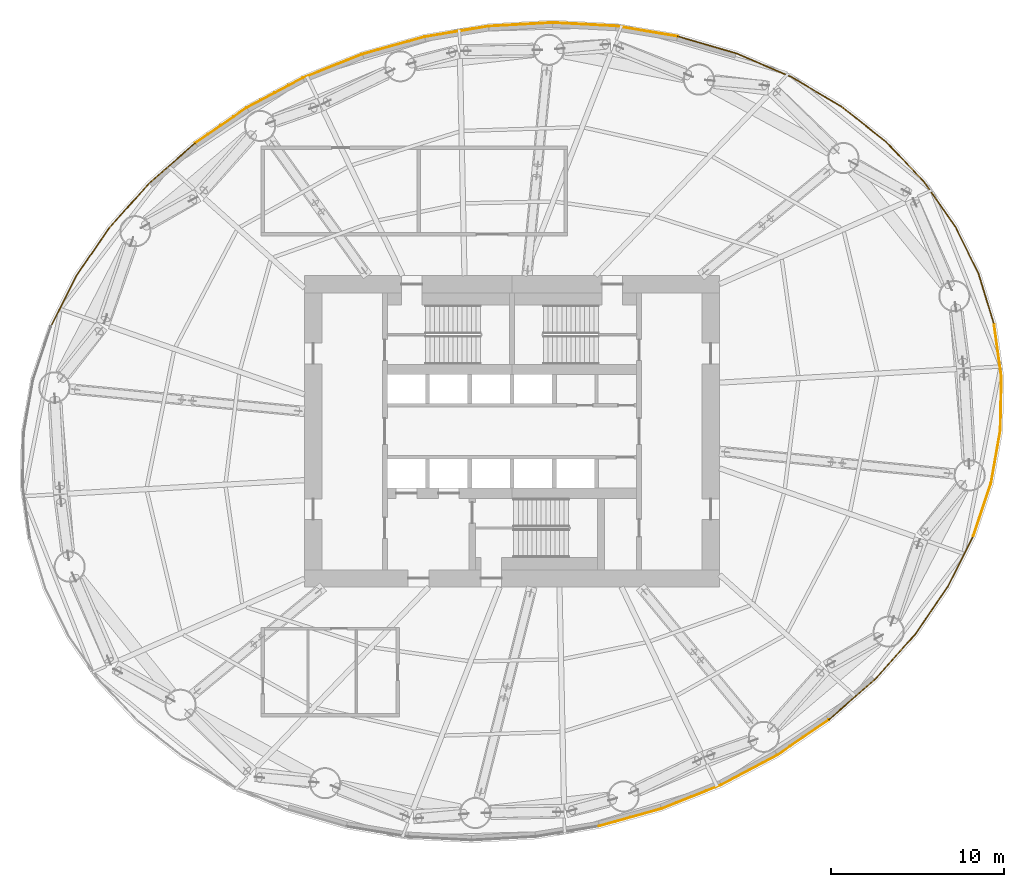
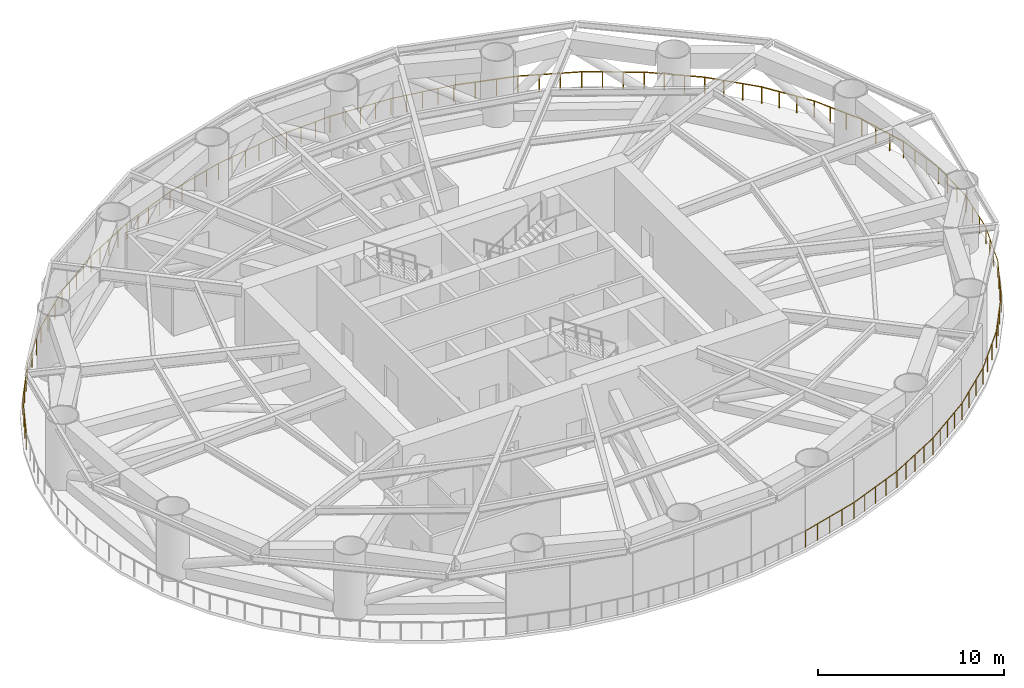
# One storey, part 15 of 15: 8 railings.
"""IFC4 building model written with IfcOpenShell, lengths in metres."""

from ifc_helpers import new_model, si_unit, direction, frame, origin, origin_2d, place, context, subcontext, project, spatial, circle, extrude, material, type_object, element, save


model = new_model("IFC4")

# Units and contexts
model_context = context("Model", 3, precision=1e-05, world=origin(), true_north=direction((0.0, 1.0)))
body_context = subcontext(model_context, "Body", "Model", "MODEL_VIEW")
ifc_project = project(units=[si_unit("LENGTHUNIT", "METRE"), si_unit("AREAUNIT", "SQUARE_METRE"), si_unit("VOLUMEUNIT", "CUBIC_METRE"), si_unit("PLANEANGLEUNIT", "RADIAN"), si_unit("MASSUNIT", "GRAM", prefix="KILO")], contexts=[model_context])

# Site, building, storey
site_placement = place(None, origin())
site = spatial("IfcSite", under=ifc_project, at=site_placement, CompositionType="ELEMENT")
building_placement = place(site_placement, origin())
building = spatial("IfcBuilding", under=site, at=building_placement, Name="Vermilion Reach Broadcast Tower", CompositionType="ELEMENT")
storey_placement = place(building_placement, frame((0.0, 0.0, 84.10009765625)))
storey = spatial("IfcBuildingStorey", under=building, at=storey_placement, Name="L18", CompositionType="ELEMENT", Elevation=84.10009765625)

# Railings
ifc_material = material(Name="Steel guardrail with stainless infill", Category="steel")
railing_type = type_object("IfcRailingType", Name="Open floor guardrail 1100", PredefinedType="GUARDRAIL", material=ifc_material)
railing_1_placement = place(storey_placement, frame((21.877197265625, 6.169921875, 0.0)))
element("IfcRailing", 1, at=railing_1_placement, inside=storey, type_object=railing_type, Name="sp.rail.L18.00", PredefinedType="GUARDRAIL", context=body_context, shape_type="SweptSolid", body=[
    extrude(circle(Radius=0.02490234375, at=origin_2d()), frame((0.0, 0.0, 1.0751953125), z_axis=(-0.293198719955, 0.956051520901, 0.0), x_axis=(-0.956051520901, -0.293198719955, 0.0)), (0.0, 0.0, 1.0), 3.055908203125),
    extrude(circle(Radius=0.02490234375, at=origin_2d()), frame((-0.89599609375, 2.921630859375, 1.0751953125), z_axis=(-0.440355107062, 0.897823690757, 0.0), x_axis=(-0.897823690757, -0.440355107062, 0.0)), (0.0, 0.0, 1.0), 3.08154296875),
    extrude(circle(Radius=0.02490234375, at=origin_2d()), frame((-2.2529296875, 5.688232421875, 1.0751953125), z_axis=(-0.573347192766, 0.81931251458, 0.0), x_axis=(-0.81931251458, -0.573347192766, 0.0)), (0.0, 0.0, 1.0), 3.130615234375),
    extrude(circle(Radius=0.02490234375, at=origin_2d()), frame((-4.0478515625, 8.253173828125, 1.0751953125), z_axis=(-0.688550844022, 0.725188068846, 0.0), x_axis=(-0.725188068846, -0.688550844022, 0.0)), (0.0, 0.0, 1.0), 3.198486328125),
    extrude(circle(Radius=0.02490234375, at=origin_2d()), origin(), (0.0, 0.0, 1.0), 1.050048828125),
    extrude(circle(Radius=0.02490234375, at=origin_2d()), frame((-0.298583984375, 0.973876953125, 0.0)), (0.0, 0.0, 1.0), 1.050048828125),
    extrude(circle(Radius=0.02490234375, at=origin_2d()), frame((-0.597412109375, 1.94775390625, 0.0)), (0.0, 0.0, 1.0), 1.050048828125),
    extrude(circle(Radius=0.02490234375, at=origin_2d()), frame((-0.89599609375, 2.921630859375, 0.0)), (0.0, 0.0, 1.0), 1.050048828125),
    extrude(circle(Radius=0.02490234375, at=origin_2d()), frame((-1.348388671875, 3.84375, 0.0)), (0.0, 0.0, 1.0), 1.050048828125),
    extrude(circle(Radius=0.02490234375, at=origin_2d()), frame((-1.800537109375, 4.76611328125, 0.0)), (0.0, 0.0, 1.0), 1.050048828125),
    extrude(circle(Radius=0.02490234375, at=origin_2d()), frame((-2.2529296875, 5.688232421875, 0.0)), (0.0, 0.0, 1.0), 1.050048828125),
    extrude(circle(Radius=0.02490234375, at=origin_2d()), frame((-2.851318359375, 6.543212890625, 0.0)), (0.0, 0.0, 1.0), 1.050048828125),
    extrude(circle(Radius=0.02490234375, at=origin_2d()), frame((-3.449462890625, 7.398193359375, 0.0)), (0.0, 0.0, 1.0), 1.050048828125),
    extrude(circle(Radius=0.02490234375, at=origin_2d()), frame((-4.0478515625, 8.253173828125, 0.0)), (0.0, 0.0, 1.0), 1.050048828125),
    extrude(circle(Radius=0.02490234375, at=origin_2d()), frame((-4.781982421875, 9.0263671875, 0.0)), (0.0, 0.0, 1.0), 1.050048828125),
    extrude(circle(Radius=0.02490234375, at=origin_2d()), frame((-5.51611328125, 9.799560546875, 0.0)), (0.0, 0.0, 1.0), 1.050048828125),
    extrude(circle(Radius=0.02490234375, at=origin_2d()), frame((-6.250244140625, 10.57275390625, 0.0)), (0.0, 0.0, 1.0), 1.050048828125),
])
railing_2_placement = place(storey_placement, frame((15.626953125, 16.74267578125, 0.0)))
element("IfcRailing", 2, at=railing_2_placement, inside=storey, type_object=railing_type, Name="sp.rail.L18.01", PredefinedType="GUARDRAIL", context=body_context, shape_type="SweptSolid", body=[
    extrude(circle(Radius=0.02490234375, at=origin_2d()), frame((0.0, 0.0, 1.0751953125), z_axis=(-0.784493911607, 0.620136519366, 0.0), x_axis=(-0.620136519366, -0.784493911607, 0.0)), (0.0, 0.0, 1.0), 3.27978515625),
    extrude(circle(Radius=0.02490234375, at=origin_2d()), frame((-2.572998046875, 2.033935546875, 1.0751953125), z_axis=(-0.860952501075, 0.508685355493, 0.0), x_axis=(-0.508685355493, -0.860952501075, 0.0)), (0.0, 0.0, 1.0), 3.3681640625),
    extrude(circle(Radius=0.02490234375, at=origin_2d()), frame((-5.472900390625, 3.747314453125, 1.0751953125), z_axis=(-0.918991542196, 0.3942772443, 0.0), x_axis=(-0.3942772443, -0.918991542196, 0.0)), (0.0, 0.0, 1.0), 3.45703125),
    extrude(circle(Radius=0.02490234375, at=origin_2d()), frame((-8.64990234375, 5.1103515625, 1.0751953125), z_axis=(-0.96018588216, 0.279361900949, 0.0), x_axis=(-0.279361900949, -0.96018588216, 0.0)), (0.0, 0.0, 1.0), 3.541015625),
    extrude(circle(Radius=0.02490234375, at=origin_2d()), origin(), (0.0, 0.0, 1.0), 1.050048828125),
    extrude(circle(Radius=0.02490234375, at=origin_2d()), frame((-0.857666015625, 0.677978515625, 0.0)), (0.0, 0.0, 1.0), 1.050048828125),
    extrude(circle(Radius=0.02490234375, at=origin_2d()), frame((-1.71533203125, 1.35595703125, 0.0)), (0.0, 0.0, 1.0), 1.050048828125),
    extrude(circle(Radius=0.02490234375, at=origin_2d()), frame((-2.572998046875, 2.033935546875, 0.0)), (0.0, 0.0, 1.0), 1.050048828125),
    extrude(circle(Radius=0.02490234375, at=origin_2d()), frame((-3.53955078125, 2.60498046875, 0.0)), (0.0, 0.0, 1.0), 1.050048828125),
    extrude(circle(Radius=0.02490234375, at=origin_2d()), frame((-4.50634765625, 3.17626953125, 0.0)), (0.0, 0.0, 1.0), 1.050048828125),
    extrude(circle(Radius=0.02490234375, at=origin_2d()), frame((-5.472900390625, 3.747314453125, 0.0)), (0.0, 0.0, 1.0), 1.050048828125),
    extrude(circle(Radius=0.02490234375, at=origin_2d()), frame((-6.531982421875, 4.20166015625, 0.0)), (0.0, 0.0, 1.0), 1.050048828125),
    extrude(circle(Radius=0.02490234375, at=origin_2d()), frame((-7.5908203125, 4.656005859375, 0.0)), (0.0, 0.0, 1.0), 1.050048828125),
    extrude(circle(Radius=0.02490234375, at=origin_2d()), frame((-8.64990234375, 5.1103515625, 0.0)), (0.0, 0.0, 1.0), 1.050048828125),
    extrude(circle(Radius=0.02490234375, at=origin_2d()), frame((-9.783203125, 5.440185546875, 0.0)), (0.0, 0.0, 1.0), 1.050048828125),
    extrude(circle(Radius=0.02490234375, at=origin_2d()), frame((-10.916748046875, 5.769775390625, 0.0)), (0.0, 0.0, 1.0), 1.050048828125),
    extrude(circle(Radius=0.02490234375, at=origin_2d()), frame((-12.050048828125, 6.099609375, 0.0)), (0.0, 0.0, 1.0), 1.050048828125),
])
railing_3_placement = place(storey_placement, frame((3.576904296875, 22.84228515625, 0.0)))
element("IfcRailing", 3, at=railing_3_placement, inside=storey, type_object=railing_type, Name="sp.rail.L18.02", PredefinedType="GUARDRAIL", context=body_context, shape_type="SweptSolid", body=[
    extrude(circle(Radius=0.02490234375, at=origin_2d()), frame((0.0, 0.0, 1.0751953125), z_axis=(-0.986212601481, 0.165483245917, 0.0), x_axis=(-0.165483245917, -0.986212601481, 0.0)), (0.0, 0.0, 1.0), 3.614501953125),
    extrude(circle(Radius=0.02490234375, at=origin_2d()), frame((-3.564697265625, 0.59814453125, 1.0751953125), z_axis=(-0.998571363667, 0.053434367813, 0.0), x_axis=(-0.053434367813, -0.998571363667, 0.0)), (0.0, 0.0, 1.0), 3.67333984375),
    extrude(circle(Radius=0.02490234375, at=origin_2d()), frame((-7.23291015625, 0.79443359375, 1.0751953125), z_axis=(-0.998419846859, -0.05619438938, 0.0), x_axis=(0.05619438938, -0.998419846859, 0.0)), (0.0, 0.0, 1.0), 3.714599609375),
    extrude(circle(Radius=0.02490234375, at=origin_2d()), frame((-10.941650390625, 0.585693359375, 1.0751953125), z_axis=(-0.98655068081, -0.163455664306, 0.0), x_axis=(0.163455664306, -0.98655068081, 0.0)), (0.0, 0.0, 1.0), 3.735595703125),
    extrude(circle(Radius=0.02490234375, at=origin_2d()), origin(), (0.0, 0.0, 1.0), 1.050048828125),
    extrude(circle(Radius=0.02490234375, at=origin_2d()), frame((-0.89111328125, 0.1494140625, 0.0)), (0.0, 0.0, 1.0), 1.050048828125),
    extrude(circle(Radius=0.02490234375, at=origin_2d()), frame((-1.7822265625, 0.299072265625, 0.0)), (0.0, 0.0, 1.0), 1.050048828125),
    extrude(circle(Radius=0.02490234375, at=origin_2d()), frame((-2.673583984375, 0.44873046875, 0.0)), (0.0, 0.0, 1.0), 1.050048828125),
    extrude(circle(Radius=0.02490234375, at=origin_2d()), frame((-3.564697265625, 0.59814453125, 0.0)), (0.0, 0.0, 1.0), 1.050048828125),
    extrude(circle(Radius=0.02490234375, at=origin_2d()), frame((-4.481689453125, 0.647216796875, 0.0)), (0.0, 0.0, 1.0), 1.050048828125),
    extrude(circle(Radius=0.02490234375, at=origin_2d()), frame((-5.39892578125, 0.6962890625, 0.0)), (0.0, 0.0, 1.0), 1.050048828125),
    extrude(circle(Radius=0.02490234375, at=origin_2d()), frame((-6.31591796875, 0.745361328125, 0.0)), (0.0, 0.0, 1.0), 1.050048828125),
    extrude(circle(Radius=0.02490234375, at=origin_2d()), frame((-7.23291015625, 0.79443359375, 0.0)), (0.0, 0.0, 1.0), 1.050048828125),
    extrude(circle(Radius=0.02490234375, at=origin_2d()), frame((-8.16015625, 0.7421875, 0.0)), (0.0, 0.0, 1.0), 1.050048828125),
    extrude(circle(Radius=0.02490234375, at=origin_2d()), frame((-9.08740234375, 0.68994140625, 0.0)), (0.0, 0.0, 1.0), 1.050048828125),
    extrude(circle(Radius=0.02490234375, at=origin_2d()), frame((-10.014404296875, 0.637939453125, 0.0)), (0.0, 0.0, 1.0), 1.050048828125),
    extrude(circle(Radius=0.02490234375, at=origin_2d()), frame((-10.941650390625, 0.585693359375, 0.0)), (0.0, 0.0, 1.0), 1.050048828125),
    extrude(circle(Radius=0.02490234375, at=origin_2d()), frame((-11.863037109375, 0.43310546875, 0.0)), (0.0, 0.0, 1.0), 1.050048828125),
    extrude(circle(Radius=0.02490234375, at=origin_2d()), frame((-12.7841796875, 0.2802734375, 0.0)), (0.0, 0.0, 1.0), 1.050048828125),
    extrude(circle(Radius=0.02490234375, at=origin_2d()), frame((-13.70556640625, 0.127685546875, 0.0)), (0.0, 0.0, 1.0), 1.050048828125),
    extrude(circle(Radius=0.02490234375, at=origin_2d()), frame((-14.626953125, -0.02490234375, 0.0)), (0.0, 0.0, 1.0), 1.050048828125),
])
railing_4_placement = place(storey_placement, frame((-11.050048828125, 22.8173828125, 0.0)))
element("IfcRailing", 4, at=railing_4_placement, inside=storey, type_object=railing_type, Name="sp.rail.L18.03", PredefinedType="GUARDRAIL", context=body_context, shape_type="SweptSolid", body=[
    extrude(circle(Radius=0.02490234375, at=origin_2d()), frame((0.0, 0.0, 1.0751953125), z_axis=(-0.963378270212, -0.268146058116, 0.0), x_axis=(0.268146058116, -0.963378270212, 0.0)), (0.0, 0.0, 1.0), 3.735595703125),
    extrude(circle(Radius=0.02490234375, at=origin_2d()), frame((-3.598876953125, -1.001708984375, 1.0751953125), z_axis=(-0.928888598021, -0.370359247849, 0.0), x_axis=(0.370359247849, -0.928888598021, 0.0)), (0.0, 0.0, 1.0), 3.714599609375),
    extrude(circle(Radius=0.02490234375, at=origin_2d()), frame((-7.04931640625, -2.37744140625, 1.0751953125), z_axis=(-0.882759207918, -0.469825691972, 0.0), x_axis=(0.469825691972, -0.882759207918, 0.0)), (0.0, 0.0, 1.0), 3.67333984375),
    extrude(circle(Radius=0.02490234375, at=origin_2d()), frame((-10.2919921875, -4.103271484375, 1.0751953125), z_axis=(-0.824270457447, -0.56619626719, 0.0), x_axis=(0.56619626719, -0.824270457447, 0.0)), (0.0, 0.0, 1.0), 3.61474609375),
    extrude(circle(Radius=0.02490234375, at=origin_2d()), origin(), (0.0, 0.0, 1.0), 1.050048828125),
    extrude(circle(Radius=0.02490234375, at=origin_2d()), frame((-0.899658203125, -0.25048828125, 0.0)), (0.0, 0.0, 1.0), 1.050048828125),
    extrude(circle(Radius=0.02490234375, at=origin_2d()), frame((-1.79931640625, -0.5009765625, 0.0)), (0.0, 0.0, 1.0), 1.050048828125),
    extrude(circle(Radius=0.02490234375, at=origin_2d()), frame((-2.69921875, -0.751220703125, 0.0)), (0.0, 0.0, 1.0), 1.050048828125),
    extrude(circle(Radius=0.02490234375, at=origin_2d()), frame((-3.598876953125, -1.001708984375, 0.0)), (0.0, 0.0, 1.0), 1.050048828125),
    extrude(circle(Radius=0.02490234375, at=origin_2d()), frame((-4.46142578125, -1.345703125, 0.0)), (0.0, 0.0, 1.0), 1.050048828125),
    extrude(circle(Radius=0.02490234375, at=origin_2d()), frame((-5.32421875, -1.689453125, 0.0)), (0.0, 0.0, 1.0), 1.050048828125),
    extrude(circle(Radius=0.02490234375, at=origin_2d()), frame((-6.186767578125, -2.033447265625, 0.0)), (0.0, 0.0, 1.0), 1.050048828125),
    extrude(circle(Radius=0.02490234375, at=origin_2d()), frame((-7.04931640625, -2.37744140625, 0.0)), (0.0, 0.0, 1.0), 1.050048828125),
    extrude(circle(Radius=0.02490234375, at=origin_2d()), frame((-7.85986328125, -2.808837890625, 0.0)), (0.0, 0.0, 1.0), 1.050048828125),
    extrude(circle(Radius=0.02490234375, at=origin_2d()), frame((-8.670654296875, -3.240234375, 0.0)), (0.0, 0.0, 1.0), 1.050048828125),
    extrude(circle(Radius=0.02490234375, at=origin_2d()), frame((-9.4814453125, -3.671875, 0.0)), (0.0, 0.0, 1.0), 1.050048828125),
    extrude(circle(Radius=0.02490234375, at=origin_2d()), frame((-10.2919921875, -4.103271484375, 0.0)), (0.0, 0.0, 1.0), 1.050048828125),
    extrude(circle(Radius=0.02490234375, at=origin_2d()), frame((-11.036865234375, -4.614990234375, 0.0)), (0.0, 0.0, 1.0), 1.050048828125),
    extrude(circle(Radius=0.02490234375, at=origin_2d()), frame((-11.78173828125, -5.12646484375, 0.0)), (0.0, 0.0, 1.0), 1.050048828125),
    extrude(circle(Radius=0.02490234375, at=origin_2d()), frame((-12.526611328125, -5.63818359375, 0.0)), (0.0, 0.0, 1.0), 1.050048828125),
    extrude(circle(Radius=0.02490234375, at=origin_2d()), frame((-13.271484375, -6.14990234375, 0.0)), (0.0, 0.0, 1.0), 1.050048828125),
])
railing_5_placement = place(storey_placement, frame((-24.321533203125, 16.66748046875, 0.0)))
element("IfcRailing", 5, at=railing_5_placement, inside=storey, type_object=railing_type, Name="sp.rail.L18.04", PredefinedType="GUARDRAIL", context=body_context, shape_type="SweptSolid", body=[
    extrude(circle(Radius=0.02490234375, at=origin_2d()), frame((0.0, 0.0, 1.0751953125), z_axis=(-0.752627945234, -0.658446031237, 0.0), x_axis=(0.658446031237, -0.752627945234, 0.0)), (0.0, 0.0, 1.0), 3.541015625),
    extrude(circle(Radius=0.02490234375, at=origin_2d()), frame((-2.6650390625, -2.33154296875, 1.0751953125), z_axis=(-0.666753575414, -0.745278249832, 0.0), x_axis=(0.745278249832, -0.666753575414, 0.0)), (0.0, 0.0, 1.0), 3.457275390625),
    extrude(circle(Radius=0.02490234375, at=origin_2d()), frame((-4.97021484375, -4.908203125, 1.0751953125), z_axis=(-0.565907233437, -0.824468921879, 0.0), x_axis=(0.824468921879, -0.565907233437, 0.0)), (0.0, 0.0, 1.0), 3.3681640625),
    extrude(circle(Radius=0.02490234375, at=origin_2d()), frame((-6.876220703125, -7.68505859375, 1.0751953125), z_axis=(-0.44950468221, -0.893277975029, 0.0), x_axis=(0.893277975029, -0.44950468221, 0.0)), (0.0, 0.0, 1.0), 3.280029296875),
    extrude(circle(Radius=0.02490234375, at=origin_2d()), origin(), (0.0, 0.0, 1.0), 1.050048828125),
    extrude(circle(Radius=0.02490234375, at=origin_2d()), frame((-0.888427734375, -0.777099609375, 0.0)), (0.0, 0.0, 1.0), 1.050048828125),
    extrude(circle(Radius=0.02490234375, at=origin_2d()), frame((-1.776611328125, -1.554443359375, 0.0)), (0.0, 0.0, 1.0), 1.050048828125),
    extrude(circle(Radius=0.02490234375, at=origin_2d()), frame((-2.6650390625, -2.33154296875, 0.0)), (0.0, 0.0, 1.0), 1.050048828125),
    extrude(circle(Radius=0.02490234375, at=origin_2d()), frame((-3.433349609375, -3.1904296875, 0.0)), (0.0, 0.0, 1.0), 1.050048828125),
    extrude(circle(Radius=0.02490234375, at=origin_2d()), frame((-4.201904296875, -4.04931640625, 0.0)), (0.0, 0.0, 1.0), 1.050048828125),
    extrude(circle(Radius=0.02490234375, at=origin_2d()), frame((-4.97021484375, -4.908203125, 0.0)), (0.0, 0.0, 1.0), 1.050048828125),
    extrude(circle(Radius=0.02490234375, at=origin_2d()), frame((-5.60546875, -5.833740234375, 0.0)), (0.0, 0.0, 1.0), 1.050048828125),
    extrude(circle(Radius=0.02490234375, at=origin_2d()), frame((-6.240966796875, -6.759521484375, 0.0)), (0.0, 0.0, 1.0), 1.050048828125),
    extrude(circle(Radius=0.02490234375, at=origin_2d()), frame((-6.876220703125, -7.68505859375, 0.0)), (0.0, 0.0, 1.0), 1.050048828125),
    extrude(circle(Radius=0.02490234375, at=origin_2d()), frame((-7.36767578125, -8.66162109375, 0.0)), (0.0, 0.0, 1.0), 1.050048828125),
    extrude(circle(Radius=0.02490234375, at=origin_2d()), frame((-7.859130859375, -9.638427734375, 0.0)), (0.0, 0.0, 1.0), 1.050048828125),
    extrude(circle(Radius=0.02490234375, at=origin_2d()), frame((-8.3505859375, -10.614990234375, 0.0)), (0.0, 0.0, 1.0), 1.050048828125),
])
railing_6_placement = place(storey_placement, frame((-0.949951171875, -22.8173828125, 0.0)))
element("IfcRailing", 6, at=railing_6_placement, inside=storey, type_object=railing_type, Name="sp.rail.L18.09", PredefinedType="GUARDRAIL", context=body_context, shape_type="SweptSolid", body=[
    extrude(circle(Radius=0.02490234375, at=origin_2d()), frame((0.0, 0.0, 1.0751953125), z_axis=(0.963378270212, 0.268146058116, 0.0), x_axis=(-0.268146058116, 0.963378270212, 0.0)), (0.0, 0.0, 1.0), 3.735595703125),
    extrude(circle(Radius=0.02490234375, at=origin_2d()), frame((3.598876953125, 1.001708984375, 1.0751953125), z_axis=(0.928888598021, 0.370359247849, 0.0), x_axis=(-0.370359247849, 0.928888598021, 0.0)), (0.0, 0.0, 1.0), 3.714599609375),
    extrude(circle(Radius=0.02490234375, at=origin_2d()), frame((7.04931640625, 2.37744140625, 1.0751953125), z_axis=(0.882759207918, 0.469825691972, 0.0), x_axis=(-0.469825691972, 0.882759207918, 0.0)), (0.0, 0.0, 1.0), 3.67333984375),
    extrude(circle(Radius=0.02490234375, at=origin_2d()), frame((10.2919921875, 4.103271484375, 1.0751953125), z_axis=(0.824270457447, 0.56619626719, 0.0), x_axis=(-0.56619626719, 0.824270457447, 0.0)), (0.0, 0.0, 1.0), 3.61474609375),
    extrude(circle(Radius=0.02490234375, at=origin_2d()), origin(), (0.0, 0.0, 1.0), 1.050048828125),
    extrude(circle(Radius=0.02490234375, at=origin_2d()), frame((0.899658203125, 0.25048828125, 0.0)), (0.0, 0.0, 1.0), 1.050048828125),
    extrude(circle(Radius=0.02490234375, at=origin_2d()), frame((1.79931640625, 0.5009765625, 0.0)), (0.0, 0.0, 1.0), 1.050048828125),
    extrude(circle(Radius=0.02490234375, at=origin_2d()), frame((2.69921875, 0.751220703125, 0.0)), (0.0, 0.0, 1.0), 1.050048828125),
    extrude(circle(Radius=0.02490234375, at=origin_2d()), frame((3.598876953125, 1.001708984375, 0.0)), (0.0, 0.0, 1.0), 1.050048828125),
    extrude(circle(Radius=0.02490234375, at=origin_2d()), frame((4.46142578125, 1.345703125, 0.0)), (0.0, 0.0, 1.0), 1.050048828125),
    extrude(circle(Radius=0.02490234375, at=origin_2d()), frame((5.32421875, 1.689453125, 0.0)), (0.0, 0.0, 1.0), 1.050048828125),
    extrude(circle(Radius=0.02490234375, at=origin_2d()), frame((6.186767578125, 2.033447265625, 0.0)), (0.0, 0.0, 1.0), 1.050048828125),
    extrude(circle(Radius=0.02490234375, at=origin_2d()), frame((7.04931640625, 2.37744140625, 0.0)), (0.0, 0.0, 1.0), 1.050048828125),
    extrude(circle(Radius=0.02490234375, at=origin_2d()), frame((7.85986328125, 2.808837890625, 0.0)), (0.0, 0.0, 1.0), 1.050048828125),
    extrude(circle(Radius=0.02490234375, at=origin_2d()), frame((8.670654296875, 3.240234375, 0.0)), (0.0, 0.0, 1.0), 1.050048828125),
    extrude(circle(Radius=0.02490234375, at=origin_2d()), frame((9.4814453125, 3.671875, 0.0)), (0.0, 0.0, 1.0), 1.050048828125),
    extrude(circle(Radius=0.02490234375, at=origin_2d()), frame((10.2919921875, 4.103271484375, 0.0)), (0.0, 0.0, 1.0), 1.050048828125),
    extrude(circle(Radius=0.02490234375, at=origin_2d()), frame((11.036865234375, 4.614990234375, 0.0)), (0.0, 0.0, 1.0), 1.050048828125),
    extrude(circle(Radius=0.02490234375, at=origin_2d()), frame((11.78173828125, 5.12646484375, 0.0)), (0.0, 0.0, 1.0), 1.050048828125),
    extrude(circle(Radius=0.02490234375, at=origin_2d()), frame((12.526611328125, 5.63818359375, 0.0)), (0.0, 0.0, 1.0), 1.050048828125),
    extrude(circle(Radius=0.02490234375, at=origin_2d()), frame((13.271484375, 6.14990234375, 0.0)), (0.0, 0.0, 1.0), 1.050048828125),
])
railing_7_placement = place(storey_placement, frame((12.321533203125, -16.66748046875, 0.0)))
element("IfcRailing", 7, at=railing_7_placement, inside=storey, type_object=railing_type, Name="sp.rail.L18.10", PredefinedType="GUARDRAIL", context=body_context, shape_type="SweptSolid", body=[
    extrude(circle(Radius=0.02490234375, at=origin_2d()), frame((0.0, 0.0, 1.0751953125), z_axis=(0.752627945234, 0.658446031237, 0.0), x_axis=(-0.658446031237, 0.752627945234, 0.0)), (0.0, 0.0, 1.0), 3.541015625),
    extrude(circle(Radius=0.02490234375, at=origin_2d()), frame((2.6650390625, 2.33154296875, 1.0751953125), z_axis=(0.666753575414, 0.745278249832, 0.0), x_axis=(-0.745278249832, 0.666753575414, 0.0)), (0.0, 0.0, 1.0), 3.457275390625),
    extrude(circle(Radius=0.02490234375, at=origin_2d()), frame((4.97021484375, 4.908203125, 1.0751953125), z_axis=(0.565907233437, 0.824468921879, 0.0), x_axis=(-0.824468921879, 0.565907233437, 0.0)), (0.0, 0.0, 1.0), 3.3681640625),
    extrude(circle(Radius=0.02490234375, at=origin_2d()), frame((6.876220703125, 7.68505859375, 1.0751953125), z_axis=(0.44950468221, 0.893277975029, 0.0), x_axis=(-0.893277975029, 0.44950468221, 0.0)), (0.0, 0.0, 1.0), 3.280029296875),
    extrude(circle(Radius=0.02490234375, at=origin_2d()), origin(), (0.0, 0.0, 1.0), 1.050048828125),
    extrude(circle(Radius=0.02490234375, at=origin_2d()), frame((0.888427734375, 0.777099609375, 0.0)), (0.0, 0.0, 1.0), 1.050048828125),
    extrude(circle(Radius=0.02490234375, at=origin_2d()), frame((1.776611328125, 1.554443359375, 0.0)), (0.0, 0.0, 1.0), 1.050048828125),
    extrude(circle(Radius=0.02490234375, at=origin_2d()), frame((2.6650390625, 2.33154296875, 0.0)), (0.0, 0.0, 1.0), 1.050048828125),
    extrude(circle(Radius=0.02490234375, at=origin_2d()), frame((3.433349609375, 3.1904296875, 0.0)), (0.0, 0.0, 1.0), 1.050048828125),
    extrude(circle(Radius=0.02490234375, at=origin_2d()), frame((4.201904296875, 4.04931640625, 0.0)), (0.0, 0.0, 1.0), 1.050048828125),
    extrude(circle(Radius=0.02490234375, at=origin_2d()), frame((4.97021484375, 4.908203125, 0.0)), (0.0, 0.0, 1.0), 1.050048828125),
    extrude(circle(Radius=0.02490234375, at=origin_2d()), frame((5.60546875, 5.833740234375, 0.0)), (0.0, 0.0, 1.0), 1.050048828125),
    extrude(circle(Radius=0.02490234375, at=origin_2d()), frame((6.240966796875, 6.759521484375, 0.0)), (0.0, 0.0, 1.0), 1.050048828125),
    extrude(circle(Radius=0.02490234375, at=origin_2d()), frame((6.876220703125, 7.68505859375, 0.0)), (0.0, 0.0, 1.0), 1.050048828125),
    extrude(circle(Radius=0.02490234375, at=origin_2d()), frame((7.36767578125, 8.66162109375, 0.0)), (0.0, 0.0, 1.0), 1.050048828125),
    extrude(circle(Radius=0.02490234375, at=origin_2d()), frame((7.859130859375, 9.638427734375, 0.0)), (0.0, 0.0, 1.0), 1.050048828125),
    extrude(circle(Radius=0.02490234375, at=origin_2d()), frame((8.3505859375, 10.614990234375, 0.0)), (0.0, 0.0, 1.0), 1.050048828125),
])
railing_8_placement = place(storey_placement, frame((20.672119140625, -6.052490234375, 0.0)))
element("IfcRailing", 8, at=railing_8_placement, inside=storey, type_object=railing_type, Name="sp.rail.L18.11", PredefinedType="GUARDRAIL", context=body_context, shape_type="SweptSolid", body=[
    extrude(circle(Radius=0.02490234375, at=origin_2d()), frame((0.0, 0.0, 1.0751953125), z_axis=(0.318310909039, 0.947986373946, 0.0), x_axis=(-0.947986373946, 0.318310909039, 0.0)), (0.0, 0.0, 1.0), 3.1982421875),
    extrude(circle(Radius=0.02490234375, at=origin_2d()), frame((1.01806640625, 3.031982421875, 1.0751953125), z_axis=(0.17406560679, 0.98473405777, 0.0), x_axis=(-0.98473405777, 0.17406560679, 0.0)), (0.0, 0.0, 1.0), 3.130615234375),
    extrude(circle(Radius=0.02490234375, at=origin_2d()), frame((1.56298828125, 6.11474609375, 1.0751953125), z_axis=(0.020281089168, 0.999794317558, 0.0), x_axis=(-0.999794317558, 0.020281089168, 0.0)), (0.0, 0.0, 1.0), 3.081787109375),
    extrude(circle(Radius=0.02490234375, at=origin_2d()), frame((1.62548828125, 9.19580078125, 1.0751953125), z_axis=(-0.137583612884, 0.990490156168, 0.0), x_axis=(-0.990490156168, -0.137583612884, 0.0)), (0.0, 0.0, 1.0), 3.0556640625),
    extrude(circle(Radius=0.02490234375, at=origin_2d()), origin(), (0.0, 0.0, 1.0), 1.050048828125),
    extrude(circle(Radius=0.02490234375, at=origin_2d()), frame((0.33935546875, 1.0107421875, 0.0)), (0.0, 0.0, 1.0), 1.050048828125),
    extrude(circle(Radius=0.02490234375, at=origin_2d()), frame((0.6787109375, 2.021240234375, 0.0)), (0.0, 0.0, 1.0), 1.050048828125),
    extrude(circle(Radius=0.02490234375, at=origin_2d()), frame((1.01806640625, 3.031982421875, 0.0)), (0.0, 0.0, 1.0), 1.050048828125),
    extrude(circle(Radius=0.02490234375, at=origin_2d()), frame((1.19970703125, 4.0595703125, 0.0)), (0.0, 0.0, 1.0), 1.050048828125),
    extrude(circle(Radius=0.02490234375, at=origin_2d()), frame((1.38134765625, 5.087158203125, 0.0)), (0.0, 0.0, 1.0), 1.050048828125),
    extrude(circle(Radius=0.02490234375, at=origin_2d()), frame((1.56298828125, 6.11474609375, 0.0)), (0.0, 0.0, 1.0), 1.050048828125),
    extrude(circle(Radius=0.02490234375, at=origin_2d()), frame((1.583740234375, 7.141845703125, 0.0)), (0.0, 0.0, 1.0), 1.050048828125),
    extrude(circle(Radius=0.02490234375, at=origin_2d()), frame((1.604736328125, 8.168701171875, 0.0)), (0.0, 0.0, 1.0), 1.050048828125),
    extrude(circle(Radius=0.02490234375, at=origin_2d()), frame((1.62548828125, 9.19580078125, 0.0)), (0.0, 0.0, 1.0), 1.050048828125),
    extrude(circle(Radius=0.02490234375, at=origin_2d()), frame((1.4853515625, 10.20458984375, 0.0)), (0.0, 0.0, 1.0), 1.050048828125),
    extrude(circle(Radius=0.02490234375, at=origin_2d()), frame((1.34521484375, 11.213623046875, 0.0)), (0.0, 0.0, 1.0), 1.050048828125),
    extrude(circle(Radius=0.02490234375, at=origin_2d()), frame((1.205078125, 12.222412109375, 0.0)), (0.0, 0.0, 1.0), 1.050048828125),
])

save(model, "model.ifc")
